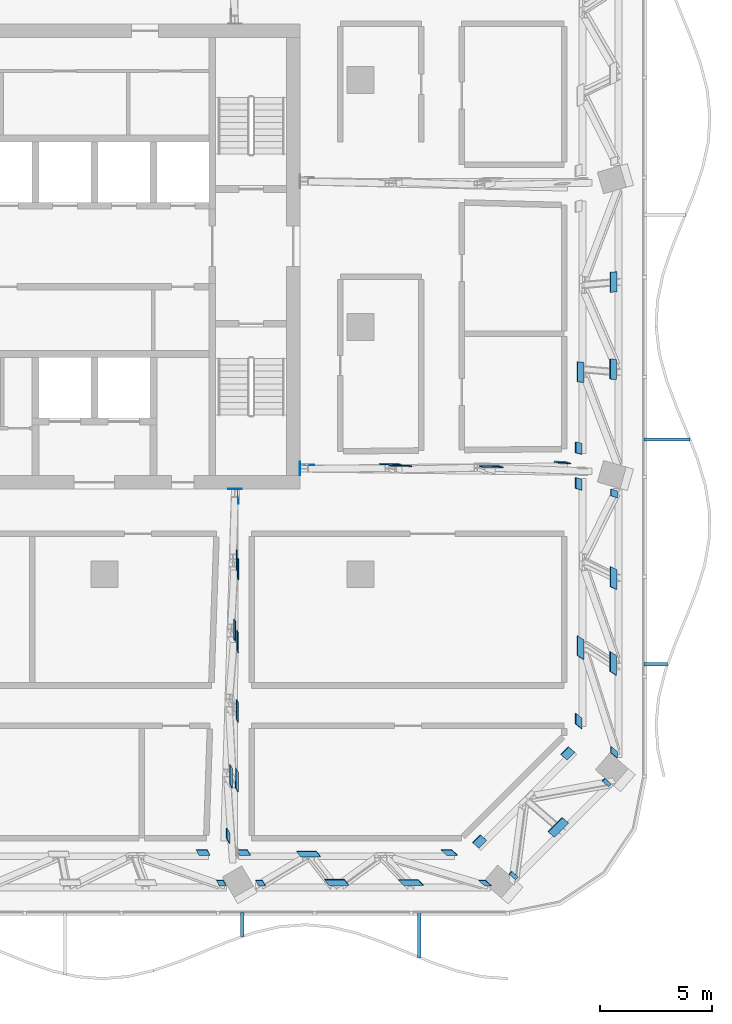
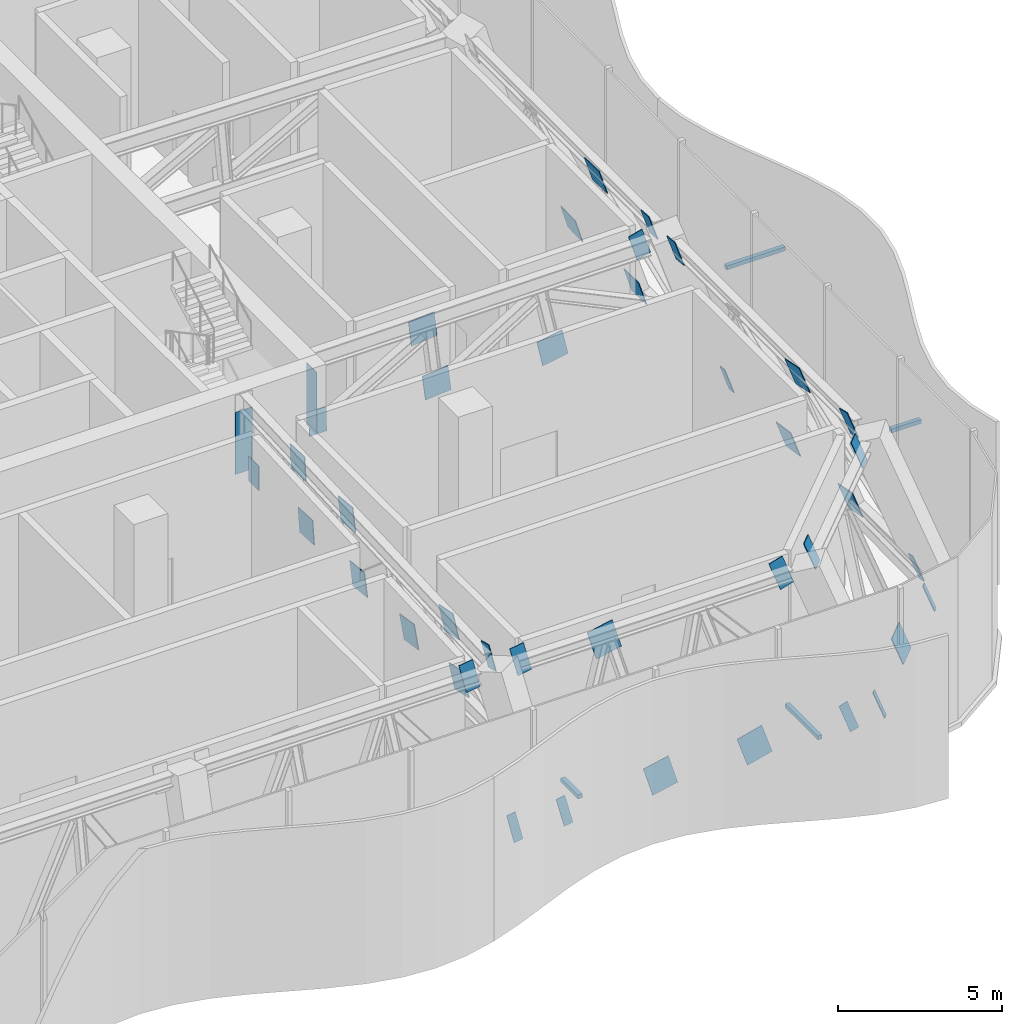
# One storey, part 16 of 29: 45 discrete accessories.
"""IFC4 building model written with IfcOpenShell, lengths in metres."""

from ifc_helpers import new_model, si_unit, direction, frame, origin, origin_2d, place, context, subcontext, project, spatial, rectangle, extrude, material, layer, layer_set, type_object, element, save


model = new_model("IFC4")

# Units and contexts
model_context = context("Model", 3, precision=1e-05, world=origin(), true_north=direction((0.0, 1.0)))
body_context = subcontext(model_context, "Body", "Model", "MODEL_VIEW")
ifc_project = project(units=[si_unit("LENGTHUNIT", "METRE"), si_unit("AREAUNIT", "SQUARE_METRE"), si_unit("VOLUMEUNIT", "CUBIC_METRE"), si_unit("PLANEANGLEUNIT", "RADIAN"), si_unit("MASSUNIT", "GRAM", prefix="KILO")], contexts=[model_context])

# Site, building, storey
site_placement = place(None, origin())
site = spatial("IfcSite", under=ifc_project, at=site_placement, CompositionType="ELEMENT")
building_placement = place(site_placement, origin())
building = spatial("IfcBuilding", under=site, at=building_placement, Name="Mopane Tessera Tower", CompositionType="ELEMENT")
storey_placement = place(building_placement, frame((0.0, 0.0, 315.39990234375)))
storey = spatial("IfcBuildingStorey", under=building, at=storey_placement, Name="L69", CompositionType="ELEMENT", Elevation=315.39990234375)

# Discrete accessories
ifc_material_1 = material(Name="Structural steel S460", Category="steel")
ifc_layer_1 = layer(ifc_material_1, 0.014892578125)
ifc_layer_set_1 = layer_set([ifc_layer_1], Name="Structural steel S460")
discrete_accessory_type_1 = type_object("IfcDiscreteAccessoryType", Name="Cast-in anchor plate 15 mm", PredefinedType="ANCHORPLATE", material=ifc_layer_set_1)
for number, where, z_axis, x_axis, name in (
    (1, (14.407470703125, -6.300048828125, 2.72021484375), (0.0, 0.0, 1.0), (1.0, 0.0, 0.0), "Cast-in anchor plate s ot L69 E1 p"),
    (2, (11.5009765625, -7.20751953125, 2.72021484375), (0.0, 0.0, 1.0), (0.0, -1.0, 0.0), "Cast-in anchor plate s ot L69 S3 p"),
):
    element("IfcDiscreteAccessory", number, at=place(storey_placement, frame(where, z_axis=z_axis, x_axis=x_axis)), inside=storey, type_object=discrete_accessory_type_1, Name=name, PredefinedType="ANCHORPLATE", context=body_context, shape_type="SweptSolid", body=[
        extrude(rectangle(XDim=0.014892578125, YDim=0.60498046875, at=origin_2d()), origin(), (0.0, 0.0, 1.0), 2.309814453125),
    ])
ifc_material_2 = material(Name="Stainless steel S316", Category="steel")
discrete_accessory_type_2 = type_object("IfcDiscreteAccessoryType", Name="Louvre bracket 150 x 150", PredefinedType="BRACKET", material=ifc_material_2)
discrete_accessory_1_placement = place(storey_placement, frame((11.824951171875, -26.590087890625, 2.5400390625), z_axis=(0.0, 0.0, 1.0), x_axis=(0.0, -1.0, 0.0)))
element("IfcDiscreteAccessory", 3, at=discrete_accessory_1_placement, inside=storey, type_object=discrete_accessory_type_2, Name="e:lv:L69:S:2:br0", PredefinedType="BRACKET", context=body_context, shape_type="SweptSolid", body=[
    extrude(rectangle(XDim=1.060302734375, YDim=0.14990234375, at=origin_2d()), origin(), (0.0, 0.0, 1.0), 0.14990234375),
])
discrete_accessory_2_placement = place(storey_placement, frame((19.708251953125, -27.056396484375, 2.5400390625), z_axis=(0.0, 0.0, 1.0), x_axis=(0.0, -1.0, 0.0)))
element("IfcDiscreteAccessory", 4, at=discrete_accessory_2_placement, inside=storey, type_object=discrete_accessory_type_2, Name="e:lv:L69:S:2:br1", PredefinedType="BRACKET", context=body_context, shape_type="SweptSolid", body=[
    extrude(rectangle(XDim=1.992919921875, YDim=0.14990234375, at=origin_2d()), origin(), (0.0, 0.0, 1.0), 0.14990234375),
])
discrete_accessory_3_placement = place(storey_placement, frame((30.23583984375, -15.0, 2.5400390625), z_axis=(0.0, 0.0, 1.0), x_axis=(1.0, 0.0, 0.0)))
element("IfcDiscreteAccessory", 5, at=discrete_accessory_3_placement, inside=storey, type_object=discrete_accessory_type_2, Name="e:lv:L69:E:0:br0", PredefinedType="BRACKET", context=body_context, shape_type="SweptSolid", body=[
    extrude(rectangle(XDim=1.0517578125, YDim=0.14990234375, at=origin_2d()), origin(), (0.0, 0.0, 1.0), 0.14990234375),
])
discrete_accessory_4_placement = place(storey_placement, frame((30.7353515625, -5.0, 2.5400390625), z_axis=(0.0, 0.0, 1.0), x_axis=(1.0, 0.0, 0.0)))
element("IfcDiscreteAccessory", 6, at=discrete_accessory_4_placement, inside=storey, type_object=discrete_accessory_type_2, Name="e:lv:L69:E:0:br1", PredefinedType="BRACKET", context=body_context, shape_type="SweptSolid", body=[
    extrude(rectangle(XDim=2.050537109375, YDim=0.14990234375, at=origin_2d()), origin(), (0.0, 0.0, 1.0), 0.14990234375),
])
ifc_material_3 = material(Name="Structural steel S460", Category="steel")
ifc_layer_2 = layer(ifc_material_3, 0.030029296875)
ifc_layer_set_2 = layer_set([ifc_layer_2], Name="Structural steel S460")
discrete_accessory_type_3 = type_object("IfcDiscreteAccessoryType", Name="Truss node plate 30 mm", PredefinedType="BRACKET", material=ifc_layer_set_2)
discrete_accessory_5_placement = place(storey_placement, frame((14.724609375, -6.13623046875, 2.35986328125), z_axis=(-0.007594013212, 0.002169718061, 0.999968811157), x_axis=(0.008847976587, 0.999958645542, -0.002102502257)))
element("IfcDiscreteAccessory", 7, at=discrete_accessory_5_placement, inside=storey, type_object=discrete_accessory_type_3, Name="Truss node plate s ot L69 E1 0", PredefinedType="BRACKET", context=body_context, shape_type="SweptSolid", body=[
    extrude(rectangle(XDim=0.030029296875, YDim=0.599853515625, at=origin_2d()), origin(), (0.0, 0.0, 1.0), 0.900146484375),
])
discrete_accessory_6_placement = place(storey_placement, frame((18.4609375, -6.122314453125, 4.490234375), z_axis=(-0.096898669988, 0.028070923896, 0.994898321934), x_axis=(0.01511091819, 0.999528477086, -0.026729826909)))
element("IfcDiscreteAccessory", 8, at=discrete_accessory_6_placement, inside=storey, type_object=discrete_accessory_type_3, Name="Truss node plate s ot L69 E1 2", PredefinedType="BRACKET", context=body_context, shape_type="SweptSolid", body=[
    extrude(rectangle(XDim=0.030029296875, YDim=0.89990234375, at=origin_2d()), origin(), (0.0, 0.0, 1.0), 0.904541015625),
])
discrete_accessory_7_placement = place(storey_placement, frame((18.91796875, -6.184814453125, 2.35986328125), z_axis=(-0.102210590992, 0.029395658095, 0.994328361445), x_axis=(0.013478759818, 0.999512454485, -0.028163386918)))
element("IfcDiscreteAccessory", 9, at=discrete_accessory_7_placement, inside=storey, type_object=discrete_accessory_type_3, Name="Truss node plate s ot L69 E1 3", PredefinedType="BRACKET", context=body_context, shape_type="SweptSolid", body=[
    extrude(rectangle(XDim=0.030029296875, YDim=0.89990234375, at=origin_2d()), origin(), (0.0, 0.0, 1.0), 0.9052734375),
])
discrete_accessory_8_placement = place(storey_placement, frame((23.004150390625, -6.2373046875, 2.27001953125), z_axis=(-0.191623387644, 0.055281088252, 0.979910444168), x_axis=(0.021608312627, 0.998408116483, -0.052099076437)))
element("IfcDiscreteAccessory", 10, at=discrete_accessory_8_placement, inside=storey, type_object=discrete_accessory_type_3, Name="Truss node plate s ot L69 E1 5", PredefinedType="BRACKET", context=body_context, shape_type="SweptSolid", body=[
    extrude(rectangle(XDim=0.030029296875, YDim=0.89990234375, at=origin_2d()), origin(), (0.0, 0.0, 1.0), 0.918701171875),
])
discrete_accessory_9_placement = place(storey_placement, frame((26.207275390625, -6.069580078125, 4.89013671875), z_axis=(-0.273827006495, 0.079053570726, 0.958524545053), x_axis=(0.032455561952, 0.996808159245, -0.072939222375)))
element("IfcDiscreteAccessory", 11, at=discrete_accessory_9_placement, inside=storey, type_object=discrete_accessory_type_3, Name="Truss node plate s ot L69 E1 7", PredefinedType="BRACKET", context=body_context, shape_type="SweptSolid", body=[
    extrude(rectangle(XDim=0.030029296875, YDim=0.489990234375, at=origin_2d()), origin(), (0.0, 0.0, 1.0), 0.938720703125),
])
discrete_accessory_10_placement = place(storey_placement, frame((11.66796875, -7.53759765625, 2.34814453125), z_axis=(-0.002984211852, 0.005154547744, 0.999982262401), x_axis=(0.999993202212, -0.002150241578, 0.002995328219)))
element("IfcDiscreteAccessory", 12, at=discrete_accessory_10_placement, inside=storey, type_object=discrete_accessory_type_3, Name="Truss node plate s ot L69 S3 0", PredefinedType="BRACKET", context=body_context, shape_type="SweptSolid", body=[
    extrude(rectangle(XDim=0.030029296875, YDim=0.63232421875, at=origin_2d()), origin(), (0.0, 0.0, 1.0), 0.89990234375),
])
discrete_accessory_11_placement = place(storey_placement, frame((11.597412109375, -10.393798828125, 4.501953125), z_axis=(-0.029511705208, 0.051171672333, 0.998253734882), x_axis=(0.999557101301, -0.00231473776, 0.029668893268)))
element("IfcDiscreteAccessory", 13, at=discrete_accessory_11_placement, inside=storey, type_object=discrete_accessory_type_3, Name="Truss node plate s ot L69 S3 2", PredefinedType="BRACKET", context=body_context, shape_type="SweptSolid", body=[
    extrude(rectangle(XDim=0.030029296875, YDim=0.89990234375, at=origin_2d()), origin(), (0.0, 0.0, 1.0), 0.901611328125),
])
discrete_accessory_12_placement = place(storey_placement, frame((11.66064453125, -10.786865234375, 2.34814453125), z_axis=(-0.031946829804, 0.055771584233, 0.997932327594), x_axis=(0.999466693351, -0.004972635975, 0.032273855894)))
element("IfcDiscreteAccessory", 14, at=discrete_accessory_12_placement, inside=storey, type_object=discrete_accessory_type_3, Name="Truss node plate s ot L69 S3 3", PredefinedType="BRACKET", context=body_context, shape_type="SweptSolid", body=[
    extrude(rectangle(XDim=0.030029296875, YDim=0.89990234375, at=origin_2d()), origin(), (0.0, 0.0, 1.0), 0.90185546875),
])
discrete_accessory_13_placement = place(storey_placement, frame((11.52734375, -13.5341796875, 4.501953125), z_axis=(-0.058453242299, 0.101013667568, 0.99316637953), x_axis=(0.998287351843, 0.003560228802, 0.058392533103)))
element("IfcDiscreteAccessory", 15, at=discrete_accessory_13_placement, inside=storey, type_object=discrete_accessory_type_3, Name="Truss node plate s ot L69 S3 4", PredefinedType="BRACKET", context=body_context, shape_type="SweptSolid", body=[
    extrude(rectangle(XDim=0.030029296875, YDim=0.89990234375, at=origin_2d()), origin(), (0.0, 0.0, 1.0), 0.90625),
])
discrete_accessory_14_placement = place(storey_placement, frame((11.653564453125, -14.0361328125, 2.34814453125), z_axis=(-0.061124533138, 0.105554259868, 0.992533168046), x_axis=(0.9981280038, 0.004403084109, 0.061000826883)))
element("IfcDiscreteAccessory", 16, at=discrete_accessory_14_placement, inside=storey, type_object=discrete_accessory_type_3, Name="Truss node plate s ot L69 S3 5", PredefinedType="BRACKET", context=body_context, shape_type="SweptSolid", body=[
    extrude(rectangle(XDim=0.030029296875, YDim=0.89990234375, at=origin_2d()), origin(), (0.0, 0.0, 1.0), 0.90673828125),
])
discrete_accessory_15_placement = place(storey_placement, frame((11.653564453125, -17.156005859375, 2.27001953125), z_axis=(-0.087847504645, 0.151930790708, 0.984479482144), x_axis=(0.996130324021, 0.01073751475, 0.087230059862)))
element("IfcDiscreteAccessory", 17, at=discrete_accessory_15_placement, inside=storey, type_object=discrete_accessory_type_3, Name="Truss node plate s ot L69 S3 7", PredefinedType="BRACKET", context=body_context, shape_type="SweptSolid", body=[
    extrude(rectangle(XDim=0.030029296875, YDim=0.89990234375, at=origin_2d()), origin(), (0.0, 0.0, 1.0), 0.914306640625),
])
discrete_accessory_16_placement = place(storey_placement, frame((11.6396484375, -20.251953125, 2.34814453125), z_axis=(-0.114114814591, 0.197323533563, 0.97367408931), x_axis=(0.993464194176, 0.020111218643, 0.112358505577)))
element("IfcDiscreteAccessory", 18, at=discrete_accessory_16_placement, inside=storey, type_object=discrete_accessory_type_3, Name="Truss node plate s ot L69 S3 9", PredefinedType="BRACKET", context=body_context, shape_type="SweptSolid", body=[
    extrude(rectangle(XDim=0.030029296875, YDim=0.89990234375, at=origin_2d()), origin(), (0.0, 0.0, 1.0), 0.92431640625),
])
discrete_accessory_17_placement = place(storey_placement, frame((11.381591796875, -20.08544921875, 4.4990234375), z_axis=(-0.116332443899, 0.201273593413, 0.97260254117), x_axis=(0.993206322093, 0.020792181054, 0.114494047708)))
element("IfcDiscreteAccessory", 19, at=discrete_accessory_17_placement, inside=storey, type_object=discrete_accessory_type_3, Name="Truss node plate s ot L69 S3 10", PredefinedType="BRACKET", context=body_context, shape_type="SweptSolid", body=[
    extrude(rectangle(XDim=0.030029296875, YDim=0.89990234375, at=origin_2d()), origin(), (0.0, 0.0, 1.0), 0.925537109375),
])
discrete_accessory_18_placement = place(storey_placement, frame((11.26318359375, -22.753173828125, 4.89013671875), z_axis=(-0.139641960679, 0.241507644682, 0.960299005715), x_axis=(0.990198526327, 0.031466702888, 0.136076173775)))
element("IfcDiscreteAccessory", 20, at=discrete_accessory_18_placement, inside=storey, type_object=discrete_accessory_type_3, Name="Truss node plate s ot L69 S3 12", PredefinedType="BRACKET", context=body_context, shape_type="SweptSolid", body=[
    extrude(rectangle(XDim=0.030029296875, YDim=0.489990234375, at=origin_2d()), origin(), (0.0, 0.0, 1.0), 0.93701171875),
])
discrete_accessory_19_placement = place(storey_placement, frame((10.152099609375, -23.50244140625, 4.984130859375), z_axis=(-0.135316340697, 0.255308949914, 0.957343631114), x_axis=(0.036396276578, 0.966859306663, -0.252702180779)))
element("IfcDiscreteAccessory", 21, at=discrete_accessory_19_placement, inside=storey, type_object=discrete_accessory_type_3, Name="Truss node plate s bt L69 S2-S3 7", PredefinedType="BRACKET", context=body_context, shape_type="SweptSolid", body=[
    extrude(rectangle(XDim=0.030029296875, YDim=0.489990234375, at=origin_2d()), origin(), (0.0, 0.0, 1.0), 0.93994140625),
])
discrete_accessory_20_placement = place(storey_placement, frame((10.961669921875, -24.85693359375, -0.095458984375), z_axis=(-0.136845666594, 0.255254820231, 0.957140658568), x_axis=(0.035428208449, 0.966873575277, -0.252785148846)))
element("IfcDiscreteAccessory", 22, at=discrete_accessory_20_placement, inside=storey, type_object=discrete_accessory_type_3, Name="Truss node plate s bt L69 S2-S3 8", PredefinedType="BRACKET", context=body_context, shape_type="SweptSolid", body=[
    extrude(rectangle(XDim=0.030029296875, YDim=0.310302734375, at=origin_2d()), origin(), (0.0, 0.0, 1.0), 0.940185546875),
])
discrete_accessory_21_placement = place(storey_placement, frame((12.71875, -24.857177734375, -0.096435546875), z_axis=(-0.158109970765, 0.254373324487, 0.954094046169), x_axis=(0.041191599282, 0.967106023979, -0.251016315273)))
element("IfcDiscreteAccessory", 23, at=discrete_accessory_21_placement, inside=storey, type_object=discrete_accessory_type_3, Name="Truss node plate s bt L69 S3-S4 0", PredefinedType="BRACKET", context=body_context, shape_type="SweptSolid", body=[
    extrude(rectangle(XDim=0.030029296875, YDim=0.311767578125, at=origin_2d()), origin(), (0.0, 0.0, 1.0), 0.943359375),
])
discrete_accessory_22_placement = place(storey_placement, frame((11.9609375, -23.50244140625, 4.984130859375), z_axis=(-0.159158218115, 0.254394355133, 0.953914133286), x_axis=(0.041685274756, 0.967100553491, -0.25095588717)))
element("IfcDiscreteAccessory", 24, at=discrete_accessory_22_placement, inside=storey, type_object=discrete_accessory_type_3, Name="Truss node plate s bt L69 S3-S4 1", PredefinedType="BRACKET", context=body_context, shape_type="SweptSolid", body=[
    extrude(rectangle(XDim=0.030029296875, YDim=0.489990234375, at=origin_2d()), origin(), (0.0, 0.0, 1.0), 0.943359375),
])
discrete_accessory_23_placement = place(storey_placement, frame((14.87890625, -23.56787109375, 4.738525390625), z_axis=(-0.195829942818, 0.252625766129, 0.947539368989), x_axis=(0.051206249335, 0.967564063323, -0.247381695756)))
element("IfcDiscreteAccessory", 25, at=discrete_accessory_23_placement, inside=storey, type_object=discrete_accessory_type_3, Name="Truss node plate s bt L69 S3-S4 2", PredefinedType="BRACKET", context=body_context, shape_type="SweptSolid", body=[
    extrude(rectangle(XDim=0.030029296875, YDim=0.89990234375, at=origin_2d()), origin(), (0.0, 0.0, 1.0), 0.949951171875),
])
discrete_accessory_24_placement = place(storey_placement, frame((16.12939453125, -24.828857421875, 0.009521484375), z_axis=(-0.199039583579, 0.252459239559, 0.946914767299), x_axis=(0.05207246776, 0.9676075201, -0.247030656291)))
element("IfcDiscreteAccessory", 26, at=discrete_accessory_24_placement, inside=storey, type_object=discrete_accessory_type_3, Name="Truss node plate s bt L69 S3-S4 3", PredefinedType="BRACKET", context=body_context, shape_type="SweptSolid", body=[
    extrude(rectangle(XDim=0.030029296875, YDim=0.89990234375, at=origin_2d()), origin(), (0.0, 0.0, 1.0), 0.95068359375),
])
discrete_accessory_25_placement = place(storey_placement, frame((19.45166015625, -24.836181640625, -0.017822265625), z_axis=(-0.238050623208, 0.250271403865, 0.938454114594), x_axis=(0.061264324316, 0.968175681886, -0.242657230618)))
element("IfcDiscreteAccessory", 27, at=discrete_accessory_25_placement, inside=storey, type_object=discrete_accessory_type_3, Name="Truss node plate s bt L69 S3-S4 5", PredefinedType="BRACKET", context=body_context, shape_type="SweptSolid", body=[
    extrude(rectangle(XDim=0.030029296875, YDim=0.89990234375, at=origin_2d()), origin(), (0.0, 0.0, 1.0), 0.958984375),
])
discrete_accessory_26_placement = place(storey_placement, frame((21.177734375, -23.50244140625, 4.984130859375), z_axis=(-0.274499772377, 0.247780786268, 0.92911493203), x_axis=(0.069903971838, 0.968816076177, -0.237715891902)))
element("IfcDiscreteAccessory", 28, at=discrete_accessory_26_placement, inside=storey, type_object=discrete_accessory_type_3, Name="Truss node plate s bt L69 S3-S4 7", PredefinedType="BRACKET", context=body_context, shape_type="SweptSolid", body=[
    extrude(rectangle(XDim=0.030029296875, YDim=0.489990234375, at=origin_2d()), origin(), (0.0, 0.0, 1.0), 0.968505859375),
])
discrete_accessory_27_placement = place(storey_placement, frame((22.768310546875, -24.857177734375, -0.096435546875), z_axis=(-0.275134362275, 0.247671316957, 0.928956404495), x_axis=(0.070679810645, 0.968844051852, -0.237372213113)))
element("IfcDiscreteAccessory", 29, at=discrete_accessory_27_placement, inside=storey, type_object=discrete_accessory_type_3, Name="Truss node plate s bt L69 S3-S4 8", PredefinedType="BRACKET", context=body_context, shape_type="SweptSolid", body=[
    extrude(rectangle(XDim=0.030029296875, YDim=0.309326171875, at=origin_2d()), origin(), (0.0, 0.0, 1.0), 0.968994140625),
])
discrete_accessory_28_placement = place(storey_placement, frame((24.043701171875, -24.52490234375, -0.27294921875), z_axis=(-0.285631026332, 0.246943974392, 0.925977100315), x_axis=(-0.647377127261, 0.66272353463, -0.376431098274)))
element("IfcDiscreteAccessory", 30, at=discrete_accessory_28_placement, inside=storey, type_object=discrete_accessory_type_3, Name="Truss node plate s bt L69 S4-E0 0", PredefinedType="BRACKET", context=body_context, shape_type="SweptSolid", body=[
    extrude(rectangle(XDim=0.030029296875, YDim=0.1787109375, at=origin_2d()), origin(), (0.0, 0.0, 1.0), 0.971923828125),
])
discrete_accessory_29_placement = place(storey_placement, frame((22.532958984375, -23.012939453125, 4.984130859375), z_axis=(-0.285631026332, 0.246943974392, 0.925977100315), x_axis=(-0.647377127261, 0.66272353463, -0.376431098274)))
element("IfcDiscreteAccessory", 31, at=discrete_accessory_29_placement, inside=storey, type_object=discrete_accessory_type_3, Name="Truss node plate s bt L69 S4-E0 1", PredefinedType="BRACKET", context=body_context, shape_type="SweptSolid", body=[
    extrude(rectangle(XDim=0.030029296875, YDim=0.489990234375, at=origin_2d()), origin(), (0.0, 0.0, 1.0), 0.971923828125),
])
discrete_accessory_30_placement = place(storey_placement, frame((26.036376953125, -22.3857421875, -0.017822265625), z_axis=(-0.285631026332, 0.246943974392, 0.925977100315), x_axis=(-0.647377127261, 0.66272353463, -0.376431098274)))
element("IfcDiscreteAccessory", 32, at=discrete_accessory_30_placement, inside=storey, type_object=discrete_accessory_type_3, Name="Truss node plate s bt L69 S4-E0 3", PredefinedType="BRACKET", context=body_context, shape_type="SweptSolid", body=[
    extrude(rectangle(XDim=0.030029296875, YDim=0.89990234375, at=origin_2d()), origin(), (0.0, 0.0, 1.0), 0.971923828125),
])
discrete_accessory_31_placement = place(storey_placement, frame((28.186279296875, -20.38232421875, -0.27294921875), z_axis=(-0.285631026332, 0.246943974392, 0.925977100315), x_axis=(-0.647377127261, 0.66272353463, -0.376431098274)))
element("IfcDiscreteAccessory", 33, at=discrete_accessory_31_placement, inside=storey, type_object=discrete_accessory_type_3, Name="Truss node plate s bt L69 S4-E0 5", PredefinedType="BRACKET", context=body_context, shape_type="SweptSolid", body=[
    extrude(rectangle(XDim=0.030029296875, YDim=0.1787109375, at=origin_2d()), origin(), (0.0, 0.0, 1.0), 0.971923828125),
])
discrete_accessory_32_placement = place(storey_placement, frame((26.455322265625, -19.090576171875, 4.984130859375), z_axis=(-0.285382567275, 0.247197575879, 0.92598604135), x_axis=(-0.646761608592, 0.6633366474, -0.376409237223)))
element("IfcDiscreteAccessory", 34, at=discrete_accessory_32_placement, inside=storey, type_object=discrete_accessory_type_3, Name="Truss node plate s bt L69 S4-E0 6", PredefinedType="BRACKET", context=body_context, shape_type="SweptSolid", body=[
    extrude(rectangle(XDim=0.030029296875, YDim=0.489990234375, at=origin_2d()), origin(), (0.0, 0.0, 1.0), 0.971923828125),
])
discrete_accessory_33_placement = place(storey_placement, frame((28.50927734375, -19.02880859375, -0.090087890625), z_axis=(-0.286481419079, 0.235333021477, 0.928733958421), x_axis=(-0.95808575168, -0.070669707025, -0.277628321568)))
element("IfcDiscreteAccessory", 35, at=discrete_accessory_33_placement, inside=storey, type_object=discrete_accessory_type_3, Name="Truss node plate s bt L69 E0-E1 0", PredefinedType="BRACKET", context=body_context, shape_type="SweptSolid", body=[
    extrude(rectangle(XDim=0.030029296875, YDim=0.29150390625, at=origin_2d()), origin(), (0.0, 0.0, 1.0), 0.968994140625),
])
discrete_accessory_34_placement = place(storey_placement, frame((26.94482421875, -17.650146484375, 4.984130859375), z_axis=(-0.286549245447, 0.23438064931, 0.928953842321), x_axis=(-0.958065497238, -0.069917590208, -0.277888527256)))
element("IfcDiscreteAccessory", 36, at=discrete_accessory_34_placement, inside=storey, type_object=discrete_accessory_type_3, Name="Truss node plate s bt L69 E0-E1 1", PredefinedType="BRACKET", context=body_context, shape_type="SweptSolid", body=[
    extrude(rectangle(XDim=0.030029296875, YDim=0.489990234375, at=origin_2d()), origin(), (0.0, 0.0, 1.0), 0.96875),
])
discrete_accessory_35_placement = place(storey_placement, frame((27.0224609375, -14.35986328125, 4.732177734375), z_axis=(-0.289216050564, 0.191793229662, 0.937853630985), x_axis=(-0.957263829653, -0.057750446669, -0.283391683625)))
element("IfcDiscreteAccessory", 37, at=discrete_accessory_35_placement, inside=storey, type_object=discrete_accessory_type_3, Name="Truss node plate s bt L69 E0-E1 2", PredefinedType="BRACKET", context=body_context, shape_type="SweptSolid", body=[
    extrude(rectangle(XDim=0.030029296875, YDim=0.89990234375, at=origin_2d()), origin(), (0.0, 0.0, 1.0), 0.959716796875),
])
discrete_accessory_36_placement = place(storey_placement, frame((28.4765625, -15.061279296875, 0.01611328125), z_axis=(-0.28948110223, 0.188404587203, 0.938458524908), x_axis=(-0.957183609185, -0.057470174389, -0.283719434236)))
element("IfcDiscreteAccessory", 38, at=discrete_accessory_36_placement, inside=storey, type_object=discrete_accessory_type_3, Name="Truss node plate s bt L69 E0-E1 3", PredefinedType="BRACKET", context=body_context, shape_type="SweptSolid", body=[
    extrude(rectangle(XDim=0.030029296875, YDim=0.89990234375, at=origin_2d()), origin(), (0.0, 0.0, 1.0), 0.958984375),
])
discrete_accessory_37_placement = place(storey_placement, frame((28.487060546875, -11.238525390625, -0.017822265625), z_axis=(-0.291776680016, 0.141910733552, 0.945900477165), x_axis=(-0.956486406756, -0.042927783244, -0.288601730968)))
element("IfcDiscreteAccessory", 39, at=discrete_accessory_37_placement, inside=storey, type_object=discrete_accessory_type_3, Name="Truss node plate s bt L69 E0-E1 5", PredefinedType="BRACKET", context=body_context, shape_type="SweptSolid", body=[
    extrude(rectangle(XDim=0.030029296875, YDim=0.89990234375, at=origin_2d()), origin(), (0.0, 0.0, 1.0), 0.951416015625),
])
discrete_accessory_38_placement = place(storey_placement, frame((26.94482421875, -7.025390625, 4.984130859375), z_axis=(-0.293413101939, 0.095481836163, 0.951205535399), x_axis=(-0.955985745609, -0.029384762405, -0.291937989872)))
element("IfcDiscreteAccessory", 40, at=discrete_accessory_38_placement, inside=storey, type_object=discrete_accessory_type_3, Name="Truss node plate s bt L69 E0-E1 7", PredefinedType="BRACKET", context=body_context, shape_type="SweptSolid", body=[
    extrude(rectangle(XDim=0.030029296875, YDim=0.489990234375, at=origin_2d()), origin(), (0.0, 0.0, 1.0), 0.946044921875),
])
discrete_accessory_39_placement = place(storey_placement, frame((28.50927734375, -7.443359375, -0.090087890625), z_axis=(-0.293441868587, 0.094458860073, 0.951298792974), x_axis=(-0.955976866944, -0.028666057055, -0.292038502668)))
element("IfcDiscreteAccessory", 41, at=discrete_accessory_39_placement, inside=storey, type_object=discrete_accessory_type_3, Name="Truss node plate s bt L69 E0-E1 8", PredefinedType="BRACKET", context=body_context, shape_type="SweptSolid", body=[
    extrude(rectangle(XDim=0.030029296875, YDim=0.307861328125, at=origin_2d()), origin(), (0.0, 0.0, 1.0), 0.946044921875),
])
discrete_accessory_40_placement = place(storey_placement, frame((26.94482421875, -5.421875, 4.984130859375), z_axis=(-0.293952945587, 0.07394067057, 0.952955635387), x_axis=(-0.955819841025, -0.022414379027, -0.293097299741)))
element("IfcDiscreteAccessory", 42, at=discrete_accessory_40_placement, inside=storey, type_object=discrete_accessory_type_3, Name="Truss node plate s bt L69 E1-E2 1", PredefinedType="BRACKET", context=body_context, shape_type="SweptSolid", body=[
    extrude(rectangle(XDim=0.030029296875, YDim=0.489990234375, at=origin_2d()), origin(), (0.0, 0.0, 1.0), 0.9443359375),
])
discrete_accessory_41_placement = place(storey_placement, frame((27.022705078125, -2.013671875, 4.7314453125), z_axis=(-0.294648579259, 0.027469436589, 0.955210785531), x_axis=(-0.955605643074, -0.008193753833, -0.294534747224)))
element("IfcDiscreteAccessory", 43, at=discrete_accessory_41_placement, inside=storey, type_object=discrete_accessory_type_3, Name="Truss node plate s bt L69 E1-E2 2", PredefinedType="BRACKET", context=body_context, shape_type="SweptSolid", body=[
    extrude(rectangle(XDim=0.030029296875, YDim=0.89990234375, at=origin_2d()), origin(), (0.0, 0.0, 1.0), 0.942138671875),
])
discrete_accessory_42_placement = place(storey_placement, frame((28.47607421875, -1.887939453125, 0.01708984375), z_axis=(-0.294437486861, 0.024104477357, 0.955366704728), x_axis=(-0.955670724235, -0.007235956174, -0.294348616063)))
element("IfcDiscreteAccessory", 44, at=discrete_accessory_42_placement, inside=storey, type_object=discrete_accessory_type_3, Name="Truss node plate s bt L69 E1-E2 3", PredefinedType="BRACKET", context=body_context, shape_type="SweptSolid", body=[
    extrude(rectangle(XDim=0.030029296875, YDim=0.89990234375, at=origin_2d()), origin(), (0.0, 0.0, 1.0), 0.94189453125),
])
discrete_accessory_43_placement = place(storey_placement, frame((28.487060546875, 2.02001953125, -0.017822265625), z_axis=(-0.294662777856, -0.025656653481, 0.955256815458), x_axis=(-0.955601261058, 0.008201985709, -0.294548735008)))
element("IfcDiscreteAccessory", 45, at=discrete_accessory_43_placement, inside=storey, type_object=discrete_accessory_type_3, Name="Truss node plate s bt L69 E1-E2 5", PredefinedType="BRACKET", context=body_context, shape_type="SweptSolid", body=[
    extrude(rectangle(XDim=0.030029296875, YDim=0.89990234375, at=origin_2d()), origin(), (0.0, 0.0, 1.0), 0.942138671875),
])

save(model, "model.ifc")
